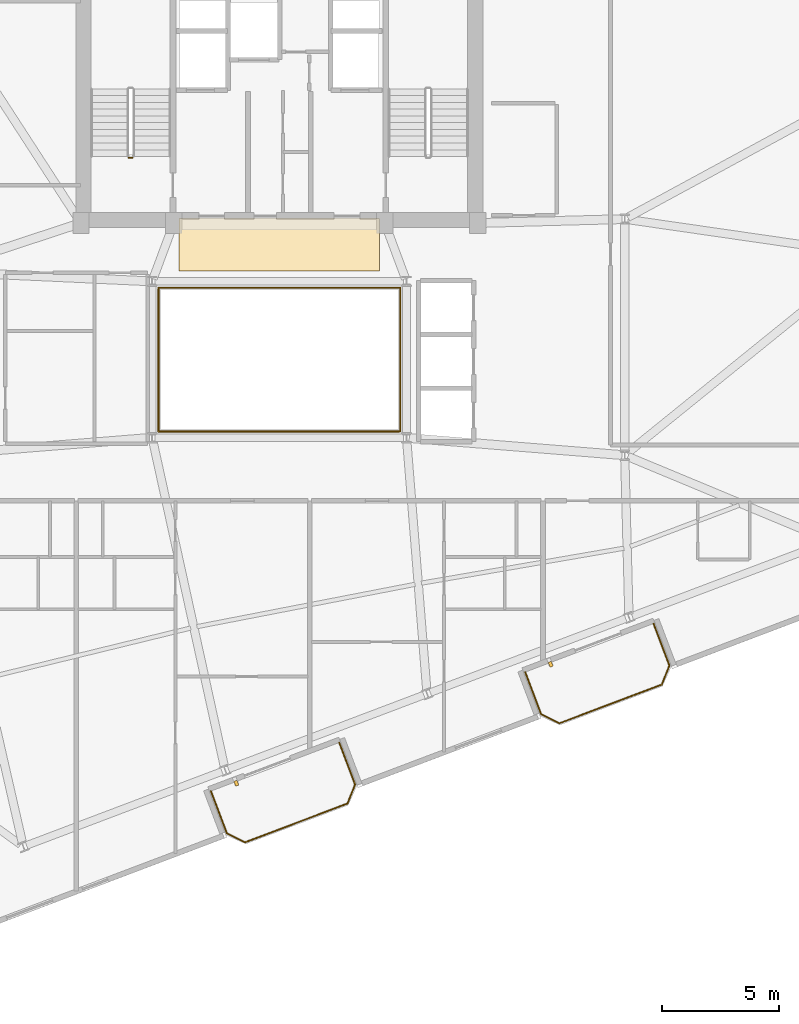
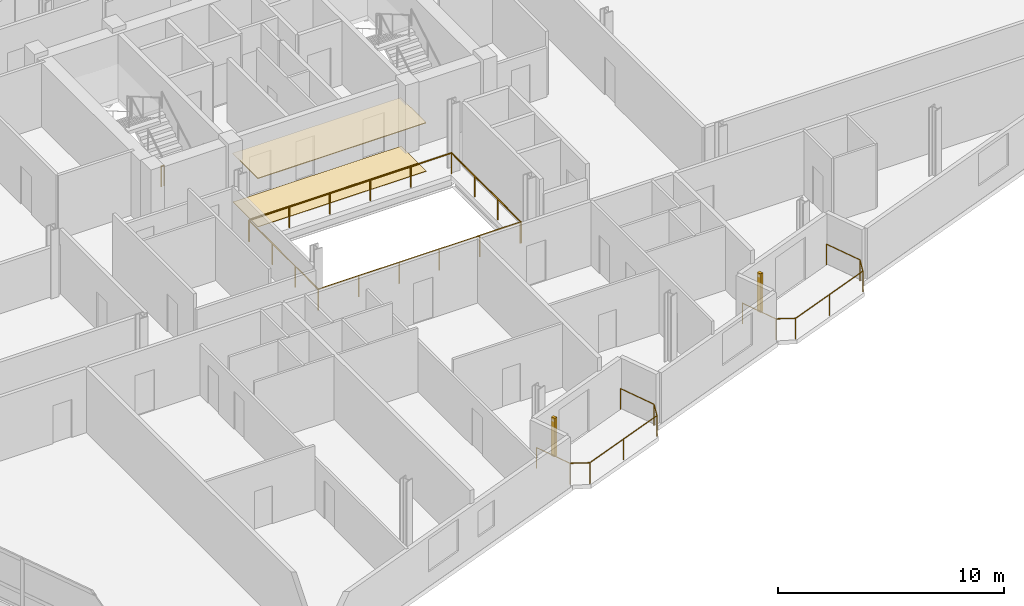
# One storey, part 23 of 24: 5 railings, 2 coverings, 2 shading devices.
"""IFC4 building model written with IfcOpenShell, lengths in metres."""

from ifc_helpers import new_model, si_unit, direction, frame, origin, origin_2d, place, context, subcontext, project, spatial, rectangle, circle, extrude, source, transform, mapped, material, layer, layer_set, type_object, element, save


model = new_model("IFC4")

# Units and contexts
model_context = context("Model", 3, precision=1e-05, world=origin(), true_north=direction((0.0, 1.0)))
body_context = subcontext(model_context, "Body", "Model", "MODEL_VIEW")
ifc_project = project(units=[si_unit("LENGTHUNIT", "METRE"), si_unit("AREAUNIT", "SQUARE_METRE"), si_unit("VOLUMEUNIT", "CUBIC_METRE"), si_unit("PLANEANGLEUNIT", "RADIAN"), si_unit("MASSUNIT", "GRAM", prefix="KILO")], contexts=[model_context])

# Site, building, storey
site_placement = place(None, origin())
site = spatial("IfcSite", under=ifc_project, at=site_placement, CompositionType="ELEMENT")
building_placement = place(site_placement, origin())
building = spatial("IfcBuilding", under=site, at=building_placement, Name="Varnelok Gate Tower", CompositionType="ELEMENT")
storey_placement = place(building_placement, frame((0.0, 0.0, 212.699951171875)))
storey = spatial("IfcBuildingStorey", under=building, at=storey_placement, Name="L54", CompositionType="ELEMENT", Elevation=212.699951171875)

# Railings
ifc_material_1 = material(Name="Tempered Laminated Balustrade Glass", Category="glass")
railing_type_1 = type_object("IfcRailingType", Name="RL-ATR-GUARD1150", PredefinedType="GUARDRAIL", material=ifc_material_1)
railing_1_placement = place(storey_placement, frame((34.02001953125, 25.929931640625, 0.0)))
element("IfcRailing", 1, at=railing_1_placement, inside=storey, type_object=railing_type_1, Name="L54 Internal Atrium South-West Guardrail", PredefinedType="GUARDRAIL", context=body_context, shape_type="SweptSolid", body=[
    extrude(circle(Radius=0.02392578125, at=origin_2d()), frame((0.0, 0.0, 1.1259765625), z_axis=(0.0, -1.0, 0.0), x_axis=(1.0, 0.0, 0.0)), (0.0, 0.0, 1.0), 6.10986328125),
    extrude(circle(Radius=0.02392578125, at=origin_2d()), frame((0.0, -6.10986328125, 1.1259765625), z_axis=(1.0, 0.0, 0.0), x_axis=(0.0, 1.0, 0.0)), (0.0, 0.0, 1.0), 10.31005859375),
    extrude(circle(Radius=0.02099609375, at=origin_2d()), origin(), (0.0, 0.0, 1.0), 1.101806640625),
    extrude(circle(Radius=0.02099609375, at=origin_2d()), frame((0.0, -2.03662109375, 0.0)), (0.0, 0.0, 1.0), 1.101806640625),
    extrude(circle(Radius=0.02099609375, at=origin_2d()), frame((0.0, -4.0732421875, 0.0)), (0.0, 0.0, 1.0), 1.101806640625),
    extrude(circle(Radius=0.02099609375, at=origin_2d()), frame((0.0, -6.10986328125, 0.0)), (0.0, 0.0, 1.0), 1.101806640625),
    extrude(circle(Radius=0.02099609375, at=origin_2d()), frame((2.06201171875, -6.10986328125, 0.0)), (0.0, 0.0, 1.0), 1.101806640625),
    extrude(circle(Radius=0.02099609375, at=origin_2d()), frame((4.1240234375, -6.10986328125, 0.0)), (0.0, 0.0, 1.0), 1.101806640625),
    extrude(circle(Radius=0.02099609375, at=origin_2d()), frame((6.18603515625, -6.10986328125, 0.0)), (0.0, 0.0, 1.0), 1.101806640625),
    extrude(circle(Radius=0.02099609375, at=origin_2d()), frame((8.248046875, -6.10986328125, 0.0)), (0.0, 0.0, 1.0), 1.101806640625),
    extrude(circle(Radius=0.02099609375, at=origin_2d()), frame((10.31005859375, -6.10986328125, 0.0)), (0.0, 0.0, 1.0), 1.101806640625),
])
railing_2_placement = place(storey_placement, frame((44.3798828125, 19.820068359375, 0.0)))
element("IfcRailing", 2, at=railing_2_placement, inside=storey, type_object=railing_type_1, Name="L54 Internal Atrium North-East Guardrail", PredefinedType="GUARDRAIL", context=body_context, shape_type="SweptSolid", body=[
    extrude(circle(Radius=0.02392578125, at=origin_2d()), frame((0.0, 0.0, 1.1259765625), z_axis=(0.0, 1.0, 0.0), x_axis=(-1.0, 0.0, 0.0)), (0.0, 0.0, 1.0), 6.159912109375),
    extrude(circle(Radius=0.02392578125, at=origin_2d()), frame((0.0, 6.159912109375, 1.1259765625), z_axis=(-1.0, 0.0, 0.0), x_axis=(0.0, -1.0, 0.0)), (0.0, 0.0, 1.0), 10.35986328125),
    extrude(circle(Radius=0.02099609375, at=origin_2d()), origin(), (0.0, 0.0, 1.0), 1.101806640625),
    extrude(circle(Radius=0.02099609375, at=origin_2d()), frame((0.0, 2.05322265625, 0.0)), (0.0, 0.0, 1.0), 1.101806640625),
    extrude(circle(Radius=0.02099609375, at=origin_2d()), frame((0.0, 4.106689453125, 0.0)), (0.0, 0.0, 1.0), 1.101806640625),
    extrude(circle(Radius=0.02099609375, at=origin_2d()), frame((0.0, 6.159912109375, 0.0)), (0.0, 0.0, 1.0), 1.101806640625),
    extrude(circle(Radius=0.02099609375, at=origin_2d()), frame((-2.072021484375, 6.159912109375, 0.0)), (0.0, 0.0, 1.0), 1.101806640625),
    extrude(circle(Radius=0.02099609375, at=origin_2d()), frame((-4.14404296875, 6.159912109375, 0.0)), (0.0, 0.0, 1.0), 1.101806640625),
    extrude(circle(Radius=0.02099609375, at=origin_2d()), frame((-6.2158203125, 6.159912109375, 0.0)), (0.0, 0.0, 1.0), 1.101806640625),
    extrude(circle(Radius=0.02099609375, at=origin_2d()), frame((-8.287841796875, 6.159912109375, 0.0)), (0.0, 0.0, 1.0), 1.101806640625),
    extrude(circle(Radius=0.02099609375, at=origin_2d()), frame((-10.35986328125, 6.159912109375, 0.0)), (0.0, 0.0, 1.0), 1.101806640625),
])
ifc_material_2 = material(Name="Low-E Laminated Double Glazing IGU", Category="glass")
railing_type_2 = type_object("IfcRailingType", Name="RL-BALC-1150", PredefinedType="BALUSTRADE", material=ifc_material_2)
railing_3_placement = place(storey_placement, frame((36.26708984375, 4.408203125, 0.0)))
element("IfcRailing", 3, at=railing_3_placement, inside=storey, type_object=railing_type_2, Name="L54 South Terrace Balustrade 1", PredefinedType="BALUSTRADE", context=body_context, shape_type="SweptSolid", body=[
    extrude(circle(Radius=0.02392578125, at=origin_2d()), frame((0.0, 0.0, 1.1259765625), z_axis=(0.354006333352, -0.935243025073, 0.0), x_axis=(0.935243025073, 0.354006333352, 0.0)), (0.0, 0.0, 1.0), 1.919921875),
    extrude(circle(Radius=0.02392578125, at=origin_2d()), frame((0.6796875, -1.795654296875, 1.1259765625), z_axis=(0.89078254773, -0.454429810487, 0.0), x_axis=(0.454429810487, 0.89078254773, 0.0)), (0.0, 0.0, 1.0), 0.8779296875),
    extrude(circle(Radius=0.02392578125, at=origin_2d()), frame((1.461669921875, -2.194580078125, 1.1259765625), z_axis=(0.935223045203, 0.354059113314, 0.0), x_axis=(-0.354059113314, 0.935223045203, 0.0)), (0.0, 0.0, 1.0), 4.699951171875),
    extrude(circle(Radius=0.02392578125, at=origin_2d()), frame((5.857177734375, -0.530517578125, 1.1259765625), z_axis=(0.366254584666, 0.930514685113, 0.0), x_axis=(-0.930514685113, 0.366254584666, 0.0)), (0.0, 0.0, 1.0), 0.8779296875),
    extrude(circle(Radius=0.02392578125, at=origin_2d()), frame((6.1787109375, 0.286376953125, 1.1259765625), z_axis=(-0.354048437536, 0.935227086797, 0.0), x_axis=(-0.935227086797, -0.354048437536, 0.0)), (0.0, 0.0, 1.0), 1.919677734375),
    extrude(circle(Radius=0.02099609375, at=origin_2d()), origin(), (0.0, 0.0, 1.0), 1.101806640625),
    extrude(circle(Radius=0.02099609375, at=origin_2d()), frame((0.6796875, -1.795654296875, 0.0)), (0.0, 0.0, 1.0), 1.101806640625),
    extrude(circle(Radius=0.02099609375, at=origin_2d()), frame((1.461669921875, -2.194580078125, 0.0)), (0.0, 0.0, 1.0), 1.101806640625),
    extrude(circle(Radius=0.02099609375, at=origin_2d()), frame((3.659423828125, -1.362548828125, 0.0)), (0.0, 0.0, 1.0), 1.101806640625),
    extrude(circle(Radius=0.02099609375, at=origin_2d()), frame((5.857177734375, -0.530517578125, 0.0)), (0.0, 0.0, 1.0), 1.101806640625),
    extrude(circle(Radius=0.02099609375, at=origin_2d()), frame((6.1787109375, 0.286376953125, 0.0)), (0.0, 0.0, 1.0), 1.101806640625),
    extrude(circle(Radius=0.02099609375, at=origin_2d()), frame((5.4990234375, 2.081787109375, 0.0)), (0.0, 0.0, 1.0), 1.101806640625),
])
railing_4_placement = place(storey_placement, frame((49.734130859375, 9.506591796875, 0.0)))
element("IfcRailing", 4, at=railing_4_placement, inside=storey, type_object=railing_type_2, Name="L54 South Terrace Balustrade 2", PredefinedType="BALUSTRADE", context=body_context, shape_type="SweptSolid", body=[
    extrude(circle(Radius=0.02392578125, at=origin_2d()), frame((0.0, 0.0, 1.1259765625), z_axis=(0.354159661475, -0.935184973245, 0.0), x_axis=(0.935184973245, 0.354159661475, 0.0)), (0.0, 0.0, 1.0), 1.919921875),
    extrude(circle(Radius=0.02392578125, at=origin_2d()), frame((0.679931640625, -1.79541015625, 1.1259765625), z_axis=(0.890612455555, -0.454763074589, 0.0), x_axis=(0.454763074589, 0.890612455555, 0.0)), (0.0, 0.0, 1.0), 0.877685546875),
    extrude(circle(Radius=0.02392578125, at=origin_2d()), frame((1.461669921875, -2.194580078125, 1.1259765625), z_axis=(0.935212356898, 0.354087344458, 0.0), x_axis=(-0.354087344458, 0.935212356898, 0.0)), (0.0, 0.0, 1.0), 4.7001953125),
    extrude(circle(Radius=0.02392578125, at=origin_2d()), frame((5.857421875, -0.5302734375, 1.1259765625), z_axis=(0.366349384437, 0.930477365938, 0.0), x_axis=(-0.930477365938, 0.366349384437, 0.0)), (0.0, 0.0, 1.0), 0.877685546875),
    extrude(circle(Radius=0.02392578125, at=origin_2d()), frame((6.178955078125, 0.286376953125, 1.1259765625), z_axis=(-0.354006333352, 0.935243025073, 0.0), x_axis=(-0.935243025073, -0.354006333352, 0.0)), (0.0, 0.0, 1.0), 1.919921875),
    extrude(circle(Radius=0.02099609375, at=origin_2d()), origin(), (0.0, 0.0, 1.0), 1.101806640625),
    extrude(circle(Radius=0.02099609375, at=origin_2d()), frame((0.679931640625, -1.79541015625, 0.0)), (0.0, 0.0, 1.0), 1.101806640625),
    extrude(circle(Radius=0.02099609375, at=origin_2d()), frame((1.461669921875, -2.194580078125, 0.0)), (0.0, 0.0, 1.0), 1.101806640625),
    extrude(circle(Radius=0.02099609375, at=origin_2d()), frame((3.65966796875, -1.3623046875, 0.0)), (0.0, 0.0, 1.0), 1.101806640625),
    extrude(circle(Radius=0.02099609375, at=origin_2d()), frame((5.857421875, -0.5302734375, 0.0)), (0.0, 0.0, 1.0), 1.101806640625),
    extrude(circle(Radius=0.02099609375, at=origin_2d()), frame((6.178955078125, 0.286376953125, 0.0)), (0.0, 0.0, 1.0), 1.101806640625),
    extrude(circle(Radius=0.02099609375, at=origin_2d()), frame((5.499267578125, 2.08203125, 0.0)), (0.0, 0.0, 1.0), 1.101806640625),
])
ifc_material_3 = material(Name="Galvanized Steel Grade S350GD", Category="steel")
railing_type_3 = type_object("IfcRailingType", Name="RL-STAIR-GUARD1120", PredefinedType="GUARDRAIL", material=ifc_material_3)
railing_5_placement = place(storey_placement, frame((32.89990234375, 31.550048828125, 0.0)))
element("IfcRailing", 5, at=railing_5_placement, inside=storey, type_object=railing_type_3, Name="L54 ST-1 stair guard 4", PredefinedType="GUARDRAIL", context=body_context, shape_type="SweptSolid", body=[
    extrude(circle(Radius=0.02392578125, at=origin_2d()), frame((0.0, 0.0, 1.09619140625), z_axis=(-1.0, 0.0, 0.0), x_axis=(0.0, -1.0, 0.0)), (0.0, 0.0, 1.0), 0.14990234375),
    extrude(circle(Radius=0.02099609375, at=origin_2d()), origin(), (0.0, 0.0, 1.0), 1.072021484375),
    extrude(circle(Radius=0.02099609375, at=origin_2d()), frame((-0.14990234375, 0.0, 0.0)), (0.0, 0.0, 1.0), 1.072021484375),
])

# Shading devices
ifc_material_4 = material(Name="Glazed Architectural Terracotta Ceramic", Category="masonry")
shading_device_type = type_object("IfcShadingDeviceType", Name="SHD-TERRA-BAGUETTE", PredefinedType="USERDEFINED", material=ifc_material_4)
shared_shape_1 = source(origin(), body_context, "Body", "SweptSolid", [
    extrude(rectangle(XDim=0.139892578125, YDim=0.219970703125, at=origin_2d()), origin(), (0.0, 0.0, 1.0), 2.10009765625),
])
for number, where, z_axis, x_axis, name in (
    (6, (37.35791015625, 4.746337890625, 0.10009765625), (0.0, 0.0, 1.0), (0.935221751401, 0.354062530786, 0.0), "L54 Terracotta Ceramic Baguette Sunscreen 1.1"),
    (7, (50.8251953125, 9.844970703125, 0.10009765625), (0.0, 0.0, 1.0), (0.935221751401, 0.354062530786, 0.0), "L54 Terracotta Ceramic Baguette Sunscreen 2.1"),
):
    element("IfcShadingDevice", number, at=place(storey_placement, frame(where, z_axis=z_axis, x_axis=x_axis)), inside=storey, type_object=shading_device_type, Name=name, ObjectType="BAGUETTE", PredefinedType="USERDEFINED", context=body_context, shape_type="MappedRepresentation", body=[
        mapped(shared_shape_1, transform((0.0, 0.0, 0.0), scale=1.0)),
    ])

# Coverings
ifc_material_5 = material(Name="Honed Travertine Stone Flooring", Category="masonry")
ifc_layer_1 = layer(ifc_material_5, 0.02490234375)
ifc_layer_set_1 = layer_set([ifc_layer_1], Name="Honed Travertine Stone Flooring")
covering_type_1 = type_object("IfcCoveringType", Name="COV-FLOR-STONE", PredefinedType="FLOORING", material=ifc_layer_set_1)
shared_shape_2 = source(origin(), body_context, "Body", "SweptSolid", [
    extrude(rectangle(XDim=8.60009765625, YDim=2.219970703125, at=origin_2d()), origin(), (0.0, 0.0, 1.0), 0.02490234375),
])
covering_1_placement = place(storey_placement, frame((39.199951171875, 27.800048828125, 0.0), z_axis=(0.0, 0.0, 1.0), x_axis=(1.0, 0.0, 0.0)))
element("IfcCovering", 8, at=covering_1_placement, inside=storey, type_object=covering_type_1, Name="L54 Core Gallery Stone Flooring", PredefinedType="FLOORING", context=body_context, shape_type="MappedRepresentation", body=[
    mapped(shared_shape_2, transform((0.0, 0.0, 0.0), scale=1.0)),
])
ifc_material_6 = material(Name="Mineral Fiber Acoustic Ceiling Tile")
ifc_layer_2 = layer(ifc_material_6, 0.0400390625)
ifc_layer_set_2 = layer_set([ifc_layer_2], Name="Mineral Fiber Acoustic Ceiling Tile")
covering_type_2 = type_object("IfcCoveringType", Name="COV-CEIL-ACOUST", PredefinedType="CEILING", material=ifc_layer_set_2)
shared_shape_3 = source(origin(), body_context, "Body", "SweptSolid", [
    extrude(rectangle(XDim=8.60009765625, YDim=2.239990234375, at=origin_2d()), origin(), (0.0, 0.0, 1.0), 0.0400390625),
])
covering_2_placement = place(storey_placement, frame((39.199951171875, 27.820068359375, 2.60009765625), z_axis=(0.0, 0.0, 1.0), x_axis=(1.0, 0.0, 0.0)))
element("IfcCovering", 9, at=covering_2_placement, inside=storey, type_object=covering_type_2, Name="L54 Core Gallery Acoustic Ceiling", PredefinedType="CEILING", context=body_context, shape_type="MappedRepresentation", body=[
    mapped(shared_shape_3, transform((0.0, 0.0, 0.0), scale=1.0)),
])

save(model, "model.ifc")
